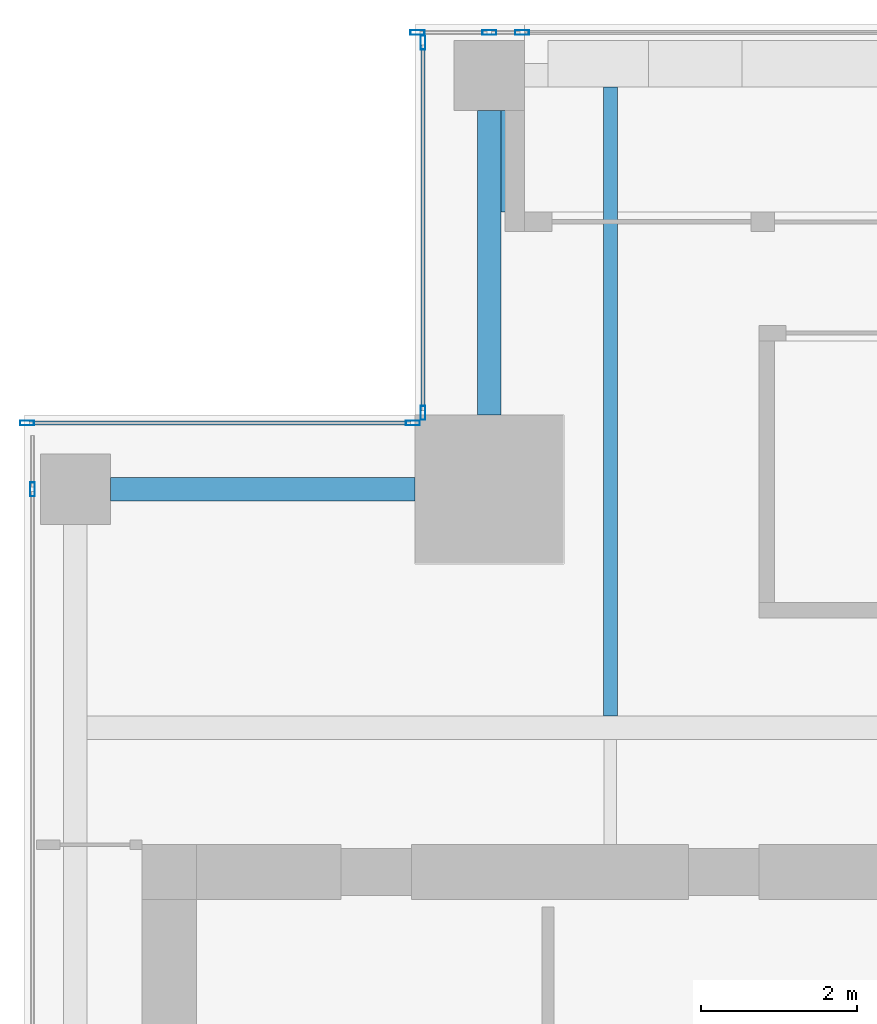
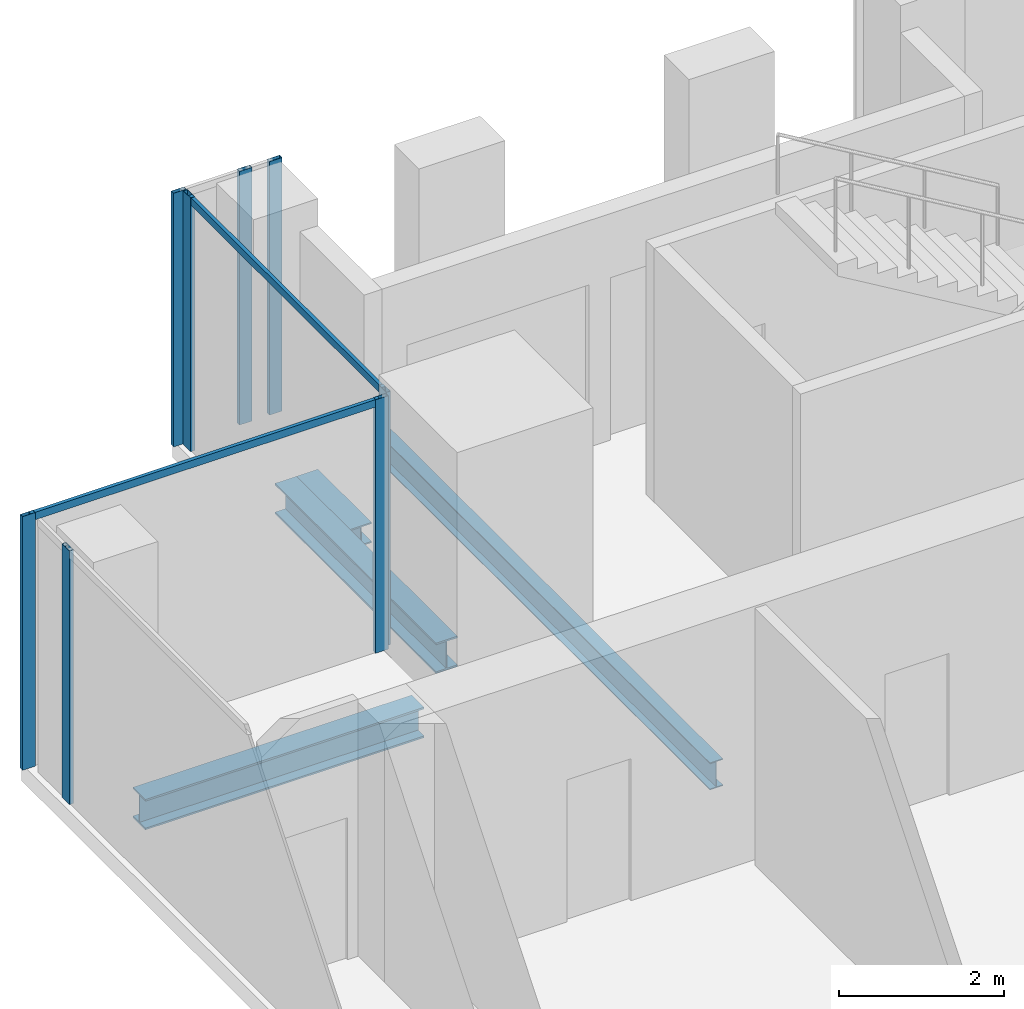
# One storey, part 17 of 34: 10 members, 4 beams, 4 elements without a shape of their own.
"""IFC4 building model written with IfcOpenShell, lengths in metres."""

from ifc_helpers import new_model, si_unit, direction, frame, origin, origin_2d, place, context, subcontext, project, spatial, hollow_rectangle, i_section, extrude, source, transform, mapped, material, material_profile, profile_set, type_object, element, aggregate, save


model = new_model("IFC4")

# Units and contexts
model_context = context("Model", 3, precision=1e-05, world=origin(), true_north=direction((0.0, 1.0)))
body_context = subcontext(model_context, "Body", "Model", "MODEL_VIEW")
ifc_project = project(units=[si_unit("LENGTHUNIT", "METRE"), si_unit("AREAUNIT", "SQUARE_METRE"), si_unit("VOLUMEUNIT", "CUBIC_METRE"), si_unit("PLANEANGLEUNIT", "RADIAN"), si_unit("MASSUNIT", "GRAM", prefix="KILO")], contexts=[model_context])

# Site, building, storey
site_placement = place(None, origin())
site = spatial("IfcSite", under=ifc_project, at=site_placement, CompositionType="ELEMENT")
building_placement = place(site_placement, origin())
building = spatial("IfcBuilding", under=site, at=building_placement, Name="Khomas Fold Tower", CompositionType="ELEMENT")
storey_placement = place(building_placement, frame((0.0, 0.0, 242.199951171875)))
storey = spatial("IfcBuildingStorey", under=building, at=storey_placement, Name="L54", CompositionType="ELEMENT", Elevation=242.199951171875)

# Beams
ifc_material_1 = material(Name="Steel S355", Category="steel")
ifc_material_profile_1 = material_profile(ifc_material_1, i_section(OverallWidth=0.300048828125, OverallDepth=0.449951171875, WebThickness=0.013916015625, FlangeThickness=0.02587890625, at=origin_2d()), Name="HE 450 B")
ifc_profile_set_1 = profile_set([ifc_material_profile_1], Name="Steel S355")
beam_type_1 = type_object("IfcBeamType", Name="HE 450 B spandrel SB4", PredefinedType="SPANDREL", material=ifc_profile_set_1)
shared_shape_1 = source(origin(), body_context, "Body", "SweptSolid", [
    extrude(i_section(OverallWidth=0.300048828125, OverallDepth=0.449951171875, WebThickness=0.013916015625, FlangeThickness=0.02587890625, at=origin_2d()), origin(), (0.0, 0.0, 1.0), 3.89990234375),
])
for number, where, z_axis, x_axis, name in (
    (1, (10.449951171875, 44.5, -0.474853515625), (0.0, 1.0, 0.0), (-1.0, 0.0, 0.0), "SB4"),
    (2, (5.60009765625, 43.550048828125, -0.474853515625), (1.0, 0.0, 0.0), (0.0, 1.0, 0.0), "SB4"),
):
    element("IfcBeam", number, at=place(storey_placement, frame(where, z_axis=z_axis, x_axis=x_axis)), inside=storey, type_object=beam_type_1, Name=name, PredefinedType="SPANDREL", context=body_context, shape_type="MappedRepresentation", body=[
        mapped(shared_shape_1, transform((0.0, 0.0, 0.0))),
    ])
ifc_material_2 = material(Name="Steel S355", Category="steel")
ifc_material_profile_2 = material_profile(ifc_material_2, i_section(OverallWidth=0.179931640625, OverallDepth=0.39990234375, WebThickness=0.008544921875, FlangeThickness=0.013427734375, at=origin_2d()), Name="IPE 400")
ifc_profile_set_2 = profile_set([ifc_material_profile_2], Name="Steel S355")
beam_type_2 = type_object("IfcBeamType", Name="IPE 400 beam JB3", PredefinedType="BEAM", material=ifc_profile_set_2)
shared_shape_2 = source(origin(), body_context, "Body", "SweptSolid", [
    extrude(i_section(OverallWidth=0.179931640625, OverallDepth=0.39990234375, WebThickness=0.008544921875, FlangeThickness=0.013427734375, at=origin_2d()), origin(), (0.0, 0.0, 1.0), 8.050048828125),
])
beam_1_placement = place(storey_placement, frame((12.0, 40.64990234375, -0.449951171875), z_axis=(0.0, 1.0, 0.0), x_axis=(-1.0, 0.0, 0.0)))
element("IfcBeam", 3, at=beam_1_placement, inside=storey, type_object=beam_type_2, Name="JB3", PredefinedType="BEAM", context=body_context, shape_type="MappedRepresentation", body=[
    mapped(shared_shape_2, transform((0.0, 0.0, 0.0))),
])
ifc_material_3 = material(Name="Steel S355", Category="steel")
ifc_material_profile_3 = material_profile(ifc_material_3, i_section(OverallWidth=0.300048828125, OverallDepth=0.300048828125, WebThickness=0.010986328125, FlangeThickness=0.01904296875, at=origin_2d()), Name="HE 300 B")
ifc_profile_set_3 = profile_set([ifc_material_profile_3], Name="Steel S355")
beam_type_3 = type_object("IfcBeamType", Name="HE 300 B beam BB1", PredefinedType="BEAM", material=ifc_profile_set_3)
shared_shape_3 = source(origin(), body_context, "Body", "SweptSolid", [
    extrude(i_section(OverallWidth=0.300048828125, OverallDepth=0.300048828125, WebThickness=0.010986328125, FlangeThickness=0.01904296875, at=origin_2d()), origin(), (0.0, 0.0, 1.0), 1.2998046875),
])
beam_2_placement = place(storey_placement, frame((10.75, 47.10009765625, -0.39990234375), z_axis=(0.0, 1.0, 0.0), x_axis=(-1.0, 0.0, 0.0)))
element("IfcBeam", 4, at=beam_2_placement, inside=storey, type_object=beam_type_3, Name="BB1", PredefinedType="BEAM", context=body_context, shape_type="MappedRepresentation", body=[
    mapped(shared_shape_3, transform((0.0, 0.0, 0.0))),
])

# Curtain wall, members
ifc_material_4 = material(Name="Aluminium framed double glazing", Category="aluminium")
curtain_wall_type = type_object("IfcCurtainWallType", Name="SK-Unitised clear-glass wall, office floors CW2", PredefinedType="NOTDEFINED", material=ifc_material_4)
curtain_wall_1_placement = place(storey_placement, origin())
curtain_wall_1 = element("IfcCurtainWall", 5, at=curtain_wall_1_placement, inside=storey, type_object=curtain_wall_type, Name="CW2 run L54 06-2", PredefinedType="NOTDEFINED")
ifc_material_5 = material(Name="Aluminium", Category="aluminium")
ifc_material_profile_4 = material_profile(ifc_material_5, hollow_rectangle(XDim=0.06005859375, YDim=0.179931640625, WallThickness=0.00390625, at=origin_2d()), Name="SK-Unitised clear-glass wall, office floors mullion CW2-M")
ifc_profile_set_4 = profile_set([ifc_material_profile_4], Name="Aluminium")
member_type_1 = type_object("IfcMemberType", Name="SK-Unitised clear-glass wall, office floors mullion CW2-M", PredefinedType="MULLION", material=ifc_profile_set_4)
shared_shape_4 = source(origin(), body_context, "Body", "SweptSolid", [
    extrude(hollow_rectangle(XDim=0.06005859375, YDim=0.179931640625, WallThickness=0.00390625, at=origin_2d()), origin(), (0.0, 0.0, 1.0), 3.75),
])
member_1_placement = place(storey_placement, frame((10.8701171875, 49.39990234375, 0.0), z_axis=(0.0, 0.0, 1.0), x_axis=(0.0, -1.0, 0.0)))
member_1 = element("IfcMember", 6, at=member_1_placement, type_object=member_type_1, Name="CW2 mullion 1", PredefinedType="MULLION", context=body_context, shape_type="MappedRepresentation", body=[
    mapped(shared_shape_4, transform((0.0, 0.0, 0.0))),
])
member_2_placement = place(storey_placement, frame((10.449951171875, 49.39990234375, 0.0), z_axis=(0.0, 0.0, 1.0), x_axis=(0.0, -1.0, 0.0)))
member_2 = element("IfcMember", 7, at=member_2_placement, type_object=member_type_1, Name="CW2 mullion 2", PredefinedType="MULLION", context=body_context, shape_type="MappedRepresentation", body=[
    mapped(shared_shape_4, transform((0.0, 0.0, 0.0))),
])
member_3_placement = place(storey_placement, frame((9.530029296875, 49.39990234375, 0.0), z_axis=(0.0, 0.0, 1.0), x_axis=(0.0, -1.0, 0.0)))
member_3 = element("IfcMember", 8, at=member_3_placement, type_object=member_type_1, Name="CW2 mullion 3", PredefinedType="MULLION", context=body_context, shape_type="MappedRepresentation", body=[
    mapped(shared_shape_4, transform((0.0, 0.0, 0.0))),
])
aggregate(curtain_wall_1, [member_1, member_2, member_3])

curtain_wall_2_placement = place(storey_placement, origin())
curtain_wall_2 = element("IfcCurtainWall", 9, at=curtain_wall_2_placement, inside=storey, type_object=curtain_wall_type, Name="CW2 corner return L54 07", PredefinedType="NOTDEFINED")
member_4_placement = place(storey_placement, frame((9.60009765625, 49.27001953125, 0.0), z_axis=(0.0, 0.0, 1.0), x_axis=(1.0, 0.0, 0.0)))
member_4 = element("IfcMember", 10, at=member_4_placement, type_object=member_type_1, Name="CW2 mullion 1", PredefinedType="MULLION", context=body_context, shape_type="MappedRepresentation", body=[
    mapped(shared_shape_4, transform((0.0, 0.0, 0.0))),
])
member_5_placement = place(storey_placement, frame((9.60009765625, 44.530029296875, 0.0), z_axis=(0.0, 0.0, 1.0), x_axis=(1.0, 0.0, 0.0)))
member_5 = element("IfcMember", 11, at=member_5_placement, type_object=member_type_1, Name="CW2 mullion 2", PredefinedType="MULLION", context=body_context, shape_type="MappedRepresentation", body=[
    mapped(shared_shape_4, transform((0.0, 0.0, 0.0))),
])

curtain_wall_3_placement = place(storey_placement, origin())
curtain_wall_3 = element("IfcCurtainWall", 12, at=curtain_wall_3_placement, inside=storey, type_object=curtain_wall_type, Name="CW2 corner return L54 08", PredefinedType="NOTDEFINED")
member_6_placement = place(storey_placement, frame((9.469970703125, 44.39990234375, 0.0), z_axis=(0.0, 0.0, 1.0), x_axis=(0.0, -1.0, 0.0)))
member_6 = element("IfcMember", 13, at=member_6_placement, type_object=member_type_1, Name="CW2 mullion 1", PredefinedType="MULLION", context=body_context, shape_type="MappedRepresentation", body=[
    mapped(shared_shape_4, transform((0.0, 0.0, 0.0))),
])
member_7_placement = place(storey_placement, frame((4.530029296875, 44.39990234375, 0.0), z_axis=(0.0, 0.0, 1.0), x_axis=(0.0, -1.0, 0.0)))
member_7 = element("IfcMember", 14, at=member_7_placement, type_object=member_type_1, Name="CW2 mullion 2", PredefinedType="MULLION", context=body_context, shape_type="MappedRepresentation", body=[
    mapped(shared_shape_4, transform((0.0, 0.0, 0.0))),
])

# Curtain wall, member
curtain_wall_4_placement = place(storey_placement, origin())
curtain_wall_4 = element("IfcCurtainWall", 15, at=curtain_wall_4_placement, inside=storey, type_object=curtain_wall_type, Name="CW2 run L54 09-0", PredefinedType="NOTDEFINED")
member_8_placement = place(storey_placement, frame((4.60009765625, 43.550048828125, 0.0), z_axis=(0.0, 0.0, 1.0), x_axis=(1.0, 0.0, 0.0)))
member_8 = element("IfcMember", 16, at=member_8_placement, type_object=member_type_1, Name="CW2 mullion 2", PredefinedType="MULLION", context=body_context, shape_type="MappedRepresentation", body=[
    mapped(shared_shape_4, transform((0.0, 0.0, 0.0))),
])
aggregate(curtain_wall_4, [member_8])

# Member
ifc_material_6 = material(Name="Aluminium", Category="aluminium")
ifc_material_profile_5 = material_profile(ifc_material_6, hollow_rectangle(XDim=0.050048828125, YDim=0.110107421875, WallThickness=0.00390625, at=origin_2d()), Name="SK-Unitised clear-glass wall, office floors transom CW2-T")
ifc_profile_set_5 = profile_set([ifc_material_profile_5], Name="Aluminium")
member_type_2 = type_object("IfcMemberType", Name="SK-Unitised clear-glass wall, office floors transom CW2-T", PredefinedType="USERDEFINED", material=ifc_profile_set_5)
shared_shape_5 = source(origin(), body_context, "Body", "SweptSolid", [
    extrude(hollow_rectangle(XDim=0.050048828125, YDim=0.110107421875, WallThickness=0.00390625, at=origin_2d()), origin(), (0.0, 0.0, 1.0), 4.679931640625),
])
member_9_placement = place(storey_placement, frame((9.60009765625, 49.239990234375, 3.695068359375), z_axis=(0.0, -1.0, 0.0), x_axis=(1.0, 0.0, 0.0)))
member_9 = element("IfcMember", 17, at=member_9_placement, type_object=member_type_2, Name="CW2 transom 1", ObjectType="TRANSOM", PredefinedType="USERDEFINED", context=body_context, shape_type="MappedRepresentation", body=[
    mapped(shared_shape_5, transform((0.0, 0.0, 0.0))),
])

aggregate(curtain_wall_2, [member_4, member_5, member_9])

shared_shape_6 = source(origin(), body_context, "Body", "SweptSolid", [
    extrude(hollow_rectangle(XDim=0.050048828125, YDim=0.110107421875, WallThickness=0.00390625, at=origin_2d()), origin(), (0.0, 0.0, 1.0), 4.8798828125),
])
member_10_placement = place(storey_placement, frame((9.43994140625, 44.39990234375, 3.695068359375), z_axis=(-1.0, 0.0, 0.0), x_axis=(0.0, -1.0, 0.0)))
member_10 = element("IfcMember", 18, at=member_10_placement, type_object=member_type_2, Name="CW2 transom 1", ObjectType="TRANSOM", PredefinedType="USERDEFINED", context=body_context, shape_type="MappedRepresentation", body=[
    mapped(shared_shape_6, transform((0.0, 0.0, 0.0))),
])

aggregate(curtain_wall_3, [member_6, member_7, member_10])

save(model, "model.ifc")
